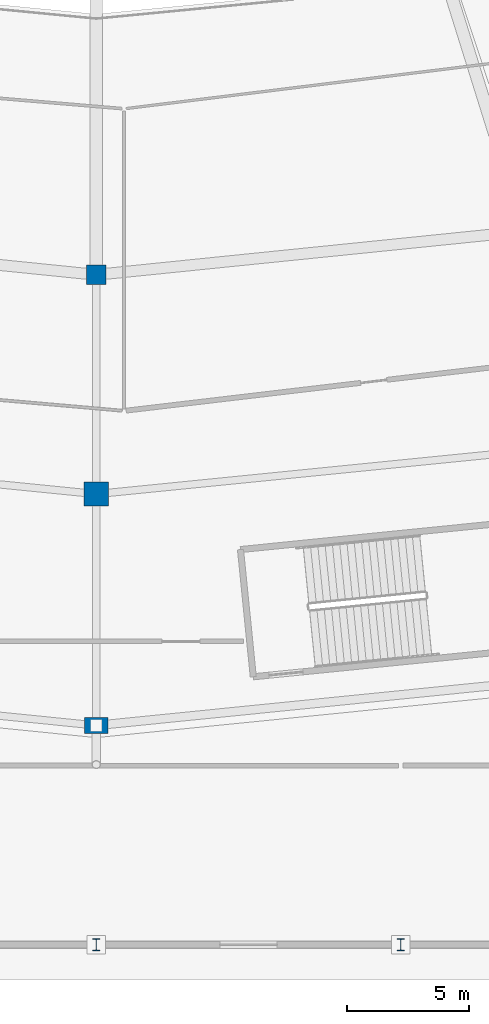
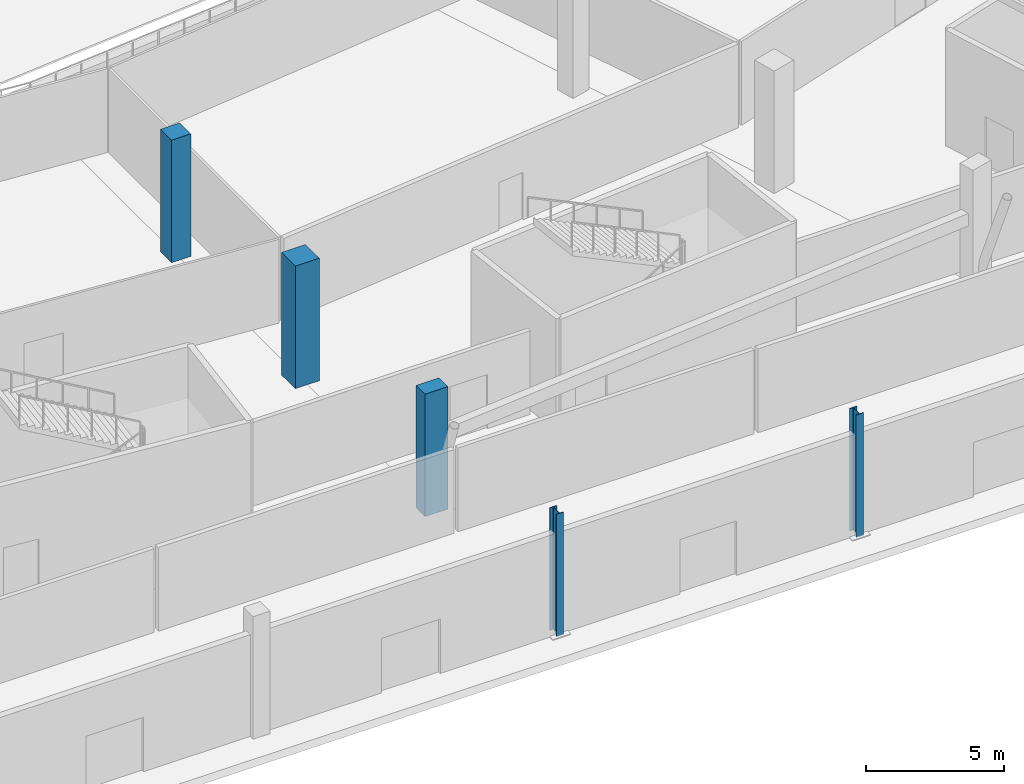
# One storey, part 5 of 82: 5 columns.
"""IFC4 building model written with IfcOpenShell, lengths in metres."""

from ifc_helpers import new_model, si_unit, direction, frame, origin, origin_2d, place, context, subcontext, project, spatial, rectangle, i_section, extrude, material, material_profile, profile_set, type_object, element, save


model = new_model("IFC4")

# Units and contexts
model_context = context("Model", 3, precision=1e-05, world=origin(), true_north=direction((0.0, 1.0)))
body_context = subcontext(model_context, "Body", "Model", "MODEL_VIEW")
ifc_project = project(units=[si_unit("LENGTHUNIT", "METRE"), si_unit("AREAUNIT", "SQUARE_METRE"), si_unit("VOLUMEUNIT", "CUBIC_METRE"), si_unit("PLANEANGLEUNIT", "RADIAN"), si_unit("MASSUNIT", "GRAM", prefix="KILO")], contexts=[model_context])

# Site, building, storey
site_placement = place(None, origin())
site = spatial("IfcSite", under=ifc_project, at=site_placement, CompositionType="ELEMENT")
building_placement = place(site_placement, origin())
building = spatial("IfcBuilding", under=site, at=building_placement, Name="Zlatoyarsky Gate Stadium", CompositionType="ELEMENT")
storey_placement = place(building_placement, origin())
storey = spatial("IfcBuildingStorey", under=building, at=storey_placement, Name="L00", CompositionType="ELEMENT", Elevation=0.0)

# Columns
ifc_material_1 = material(Name="Concrete C40/50", Category="concrete")
ifc_material_profile_1 = material_profile(ifc_material_1, rectangle(XDim=1.0, YDim=1.0, at=origin_2d()), Name="RC COL 1000X1000")
ifc_profile_set_1 = profile_set([ifc_material_profile_1], Name="Concrete C40/50")
column_type_1 = type_object("IfcColumnType", Name="CONCRETE COLUMN 1000X1000", PredefinedType="COLUMN", material=ifc_profile_set_1)
column_1_placement = place(storey_placement, frame((111.0, 18.5, 0.0), z_axis=(0.0, 0.0, 1.0), x_axis=(0.0, -1.0, 0.0)))
element("IfcColumn", 1, at=column_1_placement, inside=storey, type_object=column_type_1, Name="Column RC-C100 RB-18 on L00", PredefinedType="COLUMN", context=body_context, shape_type="SweptSolid", body=[
    extrude(rectangle(XDim=1.0, YDim=1.0, at=origin_2d()), origin(), (0.0, 0.0, 1.0), 5.39990234375),
])
ifc_material_profile_2 = material_profile(ifc_material_1, rectangle(XDim=0.800048828125, YDim=0.800048828125, at=origin_2d()), Name="RC COL 800X800")
ifc_profile_set_2 = profile_set([ifc_material_profile_2], Name="Concrete C40/50")
column_type_2 = type_object("IfcColumnType", Name="CONCRETE COLUMN 800X800", PredefinedType="COLUMN", material=ifc_profile_set_2)
column_2_placement = place(storey_placement, frame((111.0, 27.5, 0.0), z_axis=(0.0, 0.0, 1.0), x_axis=(0.0, -1.0, 0.0)))
element("IfcColumn", 2, at=column_2_placement, inside=storey, type_object=column_type_2, Name="Column RC-C80 RA-18 on L00", PredefinedType="COLUMN", context=body_context, shape_type="SweptSolid", body=[
    extrude(rectangle(XDim=0.800048828125, YDim=0.800048828125, at=origin_2d()), origin(), (0.0, 0.0, 1.0), 5.39990234375),
])
ifc_material_profile_3 = material_profile(ifc_material_1, rectangle(XDim=0.64990234375, YDim=0.949951171875, at=origin_2d()), Name="RC PILASTER 650X950")
ifc_profile_set_3 = profile_set([ifc_material_profile_3], Name="Concrete C40/50")
column_type_3 = type_object("IfcColumnType", Name="CONCRETE PORTAL PILASTER 650X950", PredefinedType="PILASTER", material=ifc_profile_set_3)
column_3_placement = place(storey_placement, frame((111.0, 9.0, 0.0), z_axis=(0.0, 0.0, 1.0), x_axis=(0.0, -1.0, 0.0)))
element("IfcColumn", 3, at=column_3_placement, inside=storey, type_object=column_type_3, Name="Column RC-PL95 RC-18 on L00", PredefinedType="PILASTER", context=body_context, shape_type="SweptSolid", body=[
    extrude(rectangle(XDim=0.64990234375, YDim=0.949951171875, at=origin_2d()), origin(), (0.0, 0.0, 1.0), 5.39990234375),
])
ifc_material_2 = material(Name="Steel S355", Category="steel")
ifc_material_profile_4 = material_profile(ifc_material_2, i_section(OverallWidth=0.300048828125, OverallDepth=0.5, WebThickness=0.014404296875, FlangeThickness=0.028076171875, FilletRadius=0.027099609375, at=origin_2d()), Name="HEB 500")
ifc_profile_set_4 = profile_set([ifc_material_profile_4], Name="Steel S355")
column_type_4 = type_object("IfcColumnType", Name="STEEL COLUMN HEB 500", PredefinedType="COLUMN", material=ifc_profile_set_4)
for number, where, z_axis, x_axis, name in (
    (4, (111.0, 0.0, 0.0), (0.0, 0.0, 1.0), (1.0, 0.0, 0.0), "Column ST-C500 WG-10-A on L00"),
    (5, (123.5, 0.0, 0.0), (0.0, 0.0, 1.0), (1.0, 0.0, 0.0), "Column ST-C500 WG-11-A on L00"),
):
    element("IfcColumn", number, at=place(storey_placement, frame(where, z_axis=z_axis, x_axis=x_axis)), inside=storey, type_object=column_type_4, Name=name, PredefinedType="COLUMN", context=body_context, shape_type="SweptSolid", body=[
        extrude(i_section(OverallWidth=0.300048828125, OverallDepth=0.5, WebThickness=0.014404296875, FlangeThickness=0.028076171875, FilletRadius=0.027099609375, at=origin_2d()), origin(), (0.0, 0.0, 1.0), 5.39990234375),
    ])

save(model, "model.ifc")
